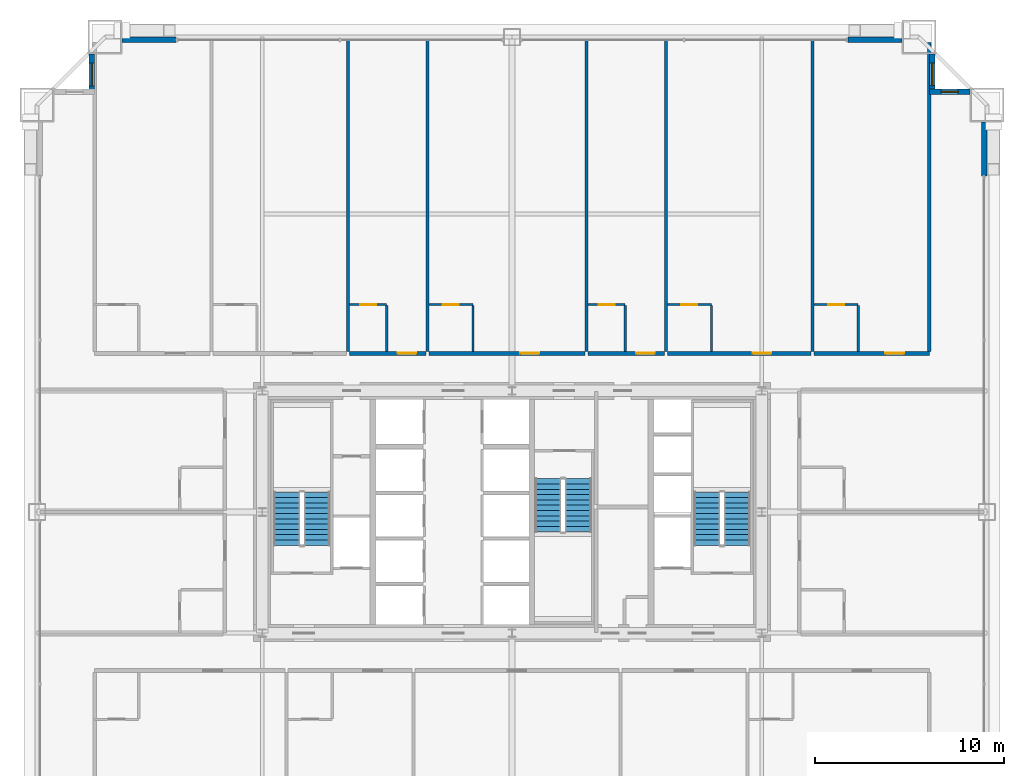
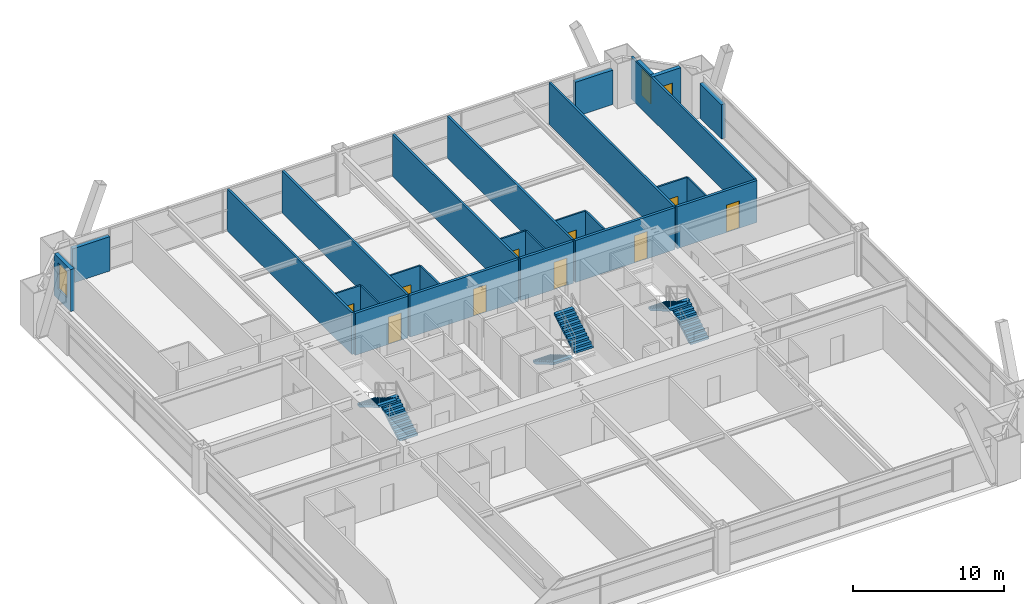
# One storey, part 42 of 43: 27 walls, 10 doors, 6 stair flights, 3 windows, 13 openings, 3 elements without a shape of their own.
"""IFC4 building model written with IfcOpenShell, lengths in metres."""

from ifc_helpers import new_model, si_unit, direction, frame, frame_2d, origin, place, context, subcontext, project, spatial, polyline, rectangle, outline, extrude, source, transform, mapped, material, layer, layer_set, type_object, element, fill, aggregate, save


model = new_model("IFC4")

# Units and contexts
model_context = context("Model", 3, precision=1e-05, world=origin(), true_north=direction((0.0, 1.0)))
body_context = subcontext(model_context, "Body", "Model", "MODEL_VIEW")
ifc_project = project(units=[si_unit("LENGTHUNIT", "METRE"), si_unit("AREAUNIT", "SQUARE_METRE"), si_unit("VOLUMEUNIT", "CUBIC_METRE"), si_unit("PLANEANGLEUNIT", "RADIAN"), si_unit("MASSUNIT", "GRAM", prefix="KILO"), si_unit("THERMODYNAMICTEMPERATUREUNIT", "KELVIN"), si_unit("POWERUNIT", "WATT")], contexts=[model_context])

# Site, building, storey
site_placement = place(None, origin())
site = spatial("IfcSite", under=ifc_project, at=site_placement, CompositionType="ELEMENT")
building_placement = place(site_placement, origin())
building = spatial("IfcBuilding", under=site, at=building_placement, Name="Yuzanri Waterfront Tower", CompositionType="ELEMENT")
storey_placement = place(building_placement, frame((0.0, 0.0, 53.199951171875)))
storey = spatial("IfcBuildingStorey", under=building, at=storey_placement, Name="L13", CompositionType="ELEMENT", Elevation=53.199951171875)

# Wall, opening, door
ifc_material_1 = material(Name="Moisture-Resistant Gypsum Stud Wall", Category="gypsum")
ifc_layer_1 = layer(ifc_material_1, 0.1201171875)
ifc_layer_set_1 = layer_set([ifc_layer_1], Name="Moisture-Resistant Gypsum Stud Wall")
wall_type_1 = type_object("IfcWallType", Name="Bathroom and Kitchen Wet Partition 120", PredefinedType="PARTITIONING", material=ifc_layer_set_1)
wall_1_placement = place(storey_placement, frame((28.419921875, 36.760009765625, 0.0), z_axis=(0.0, 0.0, 1.0), x_axis=(1.0, 0.0, 0.0)))
wall_1 = element("IfcWall", 1, at=wall_1_placement, inside=storey, type_object=wall_type_1, Name="L13 Partition UW-L13-N3-BN", PredefinedType="PARTITIONING", context=body_context, shape_type="SweptSolid", body=[
    extrude(rectangle(XDim=1.955078125, YDim=0.1201171875, at=frame_2d((0.9775390625, 0.0))), origin(), (0.0, 0.0, 1.0), 3.380126953125),
])
opening_1_placement = place(wall_1_placement, frame((0.552490234375, 0.0, 0.0)))
opening_1 = element("IfcOpeningElement", 2, at=opening_1_placement, cuts=wall_1, Name="Opening ID-0850", PredefinedType="OPENING", context=body_context, shape_type="SweptSolid", body=[
    extrude(rectangle(XDim=0.85009765625, YDim=2.10009765625, at=frame_2d((0.425048828125, 1.050048828125))), frame((0.0, 0.074951171875, 0.0), z_axis=(0.0, -1.0, 0.0), x_axis=(1.0, 0.0, 0.0)), (0.0, 0.0, 1.0), 0.14990234375),
])
ifc_material_2 = material(Name="Moisture-Resistant Lacquered Timber", Category="wood")
door_type_1 = type_object("IfcDoorType", Name="En-Suite Bathroom and Kitchen Swing Door 850x2100", OperationType="NOTDEFINED", PredefinedType="DOOR", material=ifc_material_2)
shared_shape_1 = source(origin(), body_context, "Body", "SweptSolid", [
    extrude(rectangle(XDim=0.85009765625, YDim=2.10009765625, at=frame_2d((0.425048828125, 1.050048828125))), frame((0.0, 0.02490234375, 0.0), z_axis=(0.0, -1.0, 0.0), x_axis=(1.0, 0.0, 0.0)), (0.0, 0.0, 1.0), 0.050048828125),
])
door_1_placement = place(opening_1_placement, origin())
door_1 = element("IfcDoor", 3, at=door_1_placement, inside=storey, type_object=door_type_1, Name="L13 Guest En-Suite Door", OperationType="SINGLE_SWING_LEFT", OverallHeight=2.10009765625, OverallWidth=0.85009765625, PredefinedType="DOOR", context=body_context, shape_type="MappedRepresentation", body=[
    mapped(shared_shape_1, transform((0.0, 0.0, 0.0), scale=1.0)),
])
fill(opening_1, door_1)

wall_2_placement = place(storey_placement, frame((32.60498046875, 36.760009765625, 0.0), z_axis=(0.0, 0.0, 1.0), x_axis=(1.0, 0.0, 0.0)))
wall_2 = element("IfcWall", 4, at=wall_2_placement, inside=storey, type_object=wall_type_1, Name="L13 Partition UW-L13-N4-BN", PredefinedType="PARTITIONING", context=body_context, shape_type="SweptSolid", body=[
    extrude(rectangle(XDim=2.330078125, YDim=0.1201171875, at=frame_2d((1.1650390625, 0.0))), origin(), (0.0, 0.0, 1.0), 3.380126953125),
])
opening_2_placement = place(wall_2_placement, frame((0.739990234375, 0.0, 0.0)))
opening_2 = element("IfcOpeningElement", 5, at=opening_2_placement, cuts=wall_2, Name="Opening ID-0850", PredefinedType="OPENING", context=body_context, shape_type="SweptSolid", body=[
    extrude(rectangle(XDim=0.85009765625, YDim=2.10009765625, at=frame_2d((0.425048828125, 1.050048828125))), frame((0.0, 0.074951171875, 0.0), z_axis=(0.0, -1.0, 0.0), x_axis=(1.0, 0.0, 0.0)), (0.0, 0.0, 1.0), 0.14990234375),
])
door_2_placement = place(opening_2_placement, origin())
door_2 = element("IfcDoor", 6, at=door_2_placement, inside=storey, type_object=door_type_1, Name="L13 Guest En-Suite Door", OperationType="SINGLE_SWING_LEFT", OverallHeight=2.10009765625, OverallWidth=0.85009765625, PredefinedType="DOOR", context=body_context, shape_type="MappedRepresentation", body=[
    mapped(shared_shape_1, transform((0.0, 0.0, 0.0), scale=1.0)),
])
fill(opening_2, door_2)

wall_3_placement = place(storey_placement, frame((41.02587890625, 36.760009765625, 0.0), z_axis=(0.0, 0.0, 1.0), x_axis=(1.0, 0.0, 0.0)))
wall_3 = element("IfcWall", 7, at=wall_3_placement, inside=storey, type_object=wall_type_1, Name="L13 Partition UW-L13-N5-BN", PredefinedType="PARTITIONING", context=body_context, shape_type="SweptSolid", body=[
    extrude(rectangle(XDim=1.955078125, YDim=0.1201171875, at=frame_2d((0.9775390625, 0.0))), origin(), (0.0, 0.0, 1.0), 3.380126953125),
])
opening_3_placement = place(wall_3_placement, frame((0.552490234375, 0.0, 0.0)))
opening_3 = element("IfcOpeningElement", 8, at=opening_3_placement, cuts=wall_3, Name="Opening ID-0850", PredefinedType="OPENING", context=body_context, shape_type="SweptSolid", body=[
    extrude(rectangle(XDim=0.85009765625, YDim=2.10009765625, at=frame_2d((0.425048828125, 1.050048828125))), frame((0.0, 0.074951171875, 0.0), z_axis=(0.0, -1.0, 0.0), x_axis=(1.0, 0.0, 0.0)), (0.0, 0.0, 1.0), 0.14990234375),
])
door_3_placement = place(opening_3_placement, origin())
door_3 = element("IfcDoor", 9, at=door_3_placement, inside=storey, type_object=door_type_1, Name="L13 Guest En-Suite Door", OperationType="SINGLE_SWING_LEFT", OverallHeight=2.10009765625, OverallWidth=0.85009765625, PredefinedType="DOOR", context=body_context, shape_type="MappedRepresentation", body=[
    mapped(shared_shape_1, transform((0.0, 0.0, 0.0), scale=1.0)),
])
fill(opening_3, door_3)

wall_4_placement = place(storey_placement, frame((45.2109375, 36.760009765625, 0.0), z_axis=(0.0, 0.0, 1.0), x_axis=(1.0, 0.0, 0.0)))
wall_4 = element("IfcWall", 10, at=wall_4_placement, inside=storey, type_object=wall_type_1, Name="L13 Partition UW-L13-N6-BN", PredefinedType="PARTITIONING", context=body_context, shape_type="SweptSolid", body=[
    extrude(rectangle(XDim=2.330078125, YDim=0.1201171875, at=frame_2d((1.1650390625, 0.0))), origin(), (0.0, 0.0, 1.0), 3.380126953125),
])
opening_4_placement = place(wall_4_placement, frame((0.739990234375, 0.0, 0.0)))
opening_4 = element("IfcOpeningElement", 11, at=opening_4_placement, cuts=wall_4, Name="Opening ID-0850", PredefinedType="OPENING", context=body_context, shape_type="SweptSolid", body=[
    extrude(rectangle(XDim=0.85009765625, YDim=2.10009765625, at=frame_2d((0.425048828125, 1.050048828125))), frame((0.0, 0.074951171875, 0.0), z_axis=(0.0, -1.0, 0.0), x_axis=(1.0, 0.0, 0.0)), (0.0, 0.0, 1.0), 0.14990234375),
])
door_4_placement = place(opening_4_placement, origin())
door_4 = element("IfcDoor", 12, at=door_4_placement, inside=storey, type_object=door_type_1, Name="L13 Guest En-Suite Door", OperationType="SINGLE_SWING_LEFT", OverallHeight=2.10009765625, OverallWidth=0.85009765625, PredefinedType="DOOR", context=body_context, shape_type="MappedRepresentation", body=[
    mapped(shared_shape_1, transform((0.0, 0.0, 0.0), scale=1.0)),
])
fill(opening_4, door_4)

wall_5_placement = place(storey_placement, frame((52.962890625, 36.760009765625, 0.0), z_axis=(0.0, 0.0, 1.0), x_axis=(1.0, 0.0, 0.0)))
wall_5 = element("IfcWall", 13, at=wall_5_placement, inside=storey, type_object=wall_type_1, Name="L13 Partition UW-L13-N7-BN", PredefinedType="PARTITIONING", context=body_context, shape_type="SweptSolid", body=[
    extrude(rectangle(XDim=2.330078125, YDim=0.1201171875, at=frame_2d((1.1650390625, 0.0))), origin(), (0.0, 0.0, 1.0), 3.380126953125),
])
opening_5_placement = place(wall_5_placement, frame((0.739990234375, 0.0, 0.0)))
opening_5 = element("IfcOpeningElement", 14, at=opening_5_placement, cuts=wall_5, Name="Opening ID-0850", PredefinedType="OPENING", context=body_context, shape_type="SweptSolid", body=[
    extrude(rectangle(XDim=0.85009765625, YDim=2.10009765625, at=frame_2d((0.425048828125, 1.050048828125))), frame((0.0, 0.074951171875, 0.0), z_axis=(0.0, -1.0, 0.0), x_axis=(1.0, 0.0, 0.0)), (0.0, 0.0, 1.0), 0.14990234375),
])
door_5_placement = place(opening_5_placement, origin())
door_5 = element("IfcDoor", 15, at=door_5_placement, inside=storey, type_object=door_type_1, Name="L13 Guest En-Suite Door", OperationType="SINGLE_SWING_LEFT", OverallHeight=2.10009765625, OverallWidth=0.85009765625, PredefinedType="DOOR", context=body_context, shape_type="MappedRepresentation", body=[
    mapped(shared_shape_1, transform((0.0, 0.0, 0.0), scale=1.0)),
])
fill(opening_5, door_5)

# Wall, opening, window
ifc_material_3 = material(Name="Honed Chongqing Dark Basalt Stone", Category="masonry")
ifc_layer_2 = layer(ifc_material_3, 0.300048828125)
ifc_layer_set_2 = layer_set([ifc_layer_2], Name="Honed Chongqing Dark Basalt Stone")
wall_type_2 = type_object("IfcWallType", Name="Bronze Rainscreen Insulated Spandrel Portal Wall 300", PredefinedType="SOLIDWALL", material=ifc_layer_set_2)
wall_6_placement = place(storey_placement, frame((14.800048828125, 50.0, 0.0), z_axis=(0.0, 0.0, 1.0), x_axis=(0.0, -1.0, 0.0)))
wall_6 = element("IfcWall", 16, at=wall_6_placement, inside=storey, type_object=wall_type_2, Name="L13 Notched Corner Masonry Wall NW-Y", PredefinedType="SOLIDWALL", context=body_context, shape_type="SweptSolid", body=[
    extrude(rectangle(XDim=2.14990234375, YDim=0.300048828125, at=frame_2d((1.074951171875, 0.0))), origin(), (0.0, 0.0, 1.0), 3.380126953125),
])
opening_6_placement = place(wall_6_placement, frame((0.47509765625, 0.0, 0.85009765625)))
opening_6 = element("IfcOpeningElement", 17, at=opening_6_placement, cuts=wall_6, Name="Opening WN-02", PredefinedType="OPENING", context=body_context, shape_type="SweptSolid", body=[
    extrude(rectangle(XDim=1.199951171875, YDim=2.10009765625, at=frame_2d((0.60009765625, 1.050048828125))), frame((0.0, 0.1650390625, 0.0), z_axis=(0.0, -1.0, 0.0), x_axis=(1.0, 0.0, 0.0)), (0.0, 0.0, 1.0), 0.329833984375),
])
ifc_material_4 = material(Name="Double-Silver Low-E Insulated Glass", Category="glass")
window_type_1 = type_object("IfcWindowType", Name="Anodized Bronze Notched Corner Deep-Set Slot Window 1200x2100", PartitioningType="SINGLE_PANEL", PredefinedType="WINDOW", material=ifc_material_4)
shared_shape_2 = source(origin(), body_context, "Body", "SweptSolid", [
    extrude(rectangle(XDim=1.199951171875, YDim=2.10009765625, at=frame_2d((0.60009765625, 1.050048828125))), frame((0.0, 0.030029296875, 0.0), z_axis=(0.0, -1.0, 0.0), x_axis=(1.0, 0.0, 0.0)), (0.0, 0.0, 1.0), 0.06005859375),
])
window_1_placement = place(opening_6_placement, origin())
window_1 = element("IfcWindow", 18, at=window_1_placement, inside=storey, type_object=window_type_1, Name="L13 Notched Corner Window NW-Y", OverallHeight=2.10009765625, OverallWidth=1.199951171875, PartitioningType="SINGLE_PANEL", PredefinedType="WINDOW", context=body_context, shape_type="MappedRepresentation", body=[
    mapped(shared_shape_2, transform((0.0, 0.0, 0.0), scale=1.0)),
])
fill(opening_6, window_1)

wall_7_placement = place(storey_placement, frame((61.199951171875, 48.0, 0.0), z_axis=(0.0, 0.0, 1.0), x_axis=(-1.0, 0.0, 0.0)))
wall_7 = element("IfcWall", 19, at=wall_7_placement, inside=storey, type_object=wall_type_2, Name="L13 Notched Corner Masonry Wall NE-X", PredefinedType="SOLIDWALL", context=body_context, shape_type="SweptSolid", body=[
    extrude(rectangle(XDim=2.14990234375, YDim=0.300048828125, at=frame_2d((1.074951171875, 0.0))), origin(), (0.0, 0.0, 1.0), 3.380126953125),
])
opening_7_placement = place(wall_7_placement, frame((0.625, 0.0, 0.85009765625)))
opening_7 = element("IfcOpeningElement", 20, at=opening_7_placement, cuts=wall_7, Name="Opening WN-05", PredefinedType="OPENING", context=body_context, shape_type="SweptSolid", body=[
    extrude(rectangle(XDim=0.89990234375, YDim=1.5, at=frame_2d((0.449951171875, 0.75))), frame((0.0, 0.1650390625, 0.0), z_axis=(0.0, -1.0, 0.0), x_axis=(1.0, 0.0, 0.0)), (0.0, 0.0, 1.0), 0.329833984375),
])
ifc_material_5 = material(Name="Double-Silver Low-E Insulated Glass", Category="glass")
window_type_2 = type_object("IfcWindowType", Name="Anodized Bronze Service and Stairwell Smoke-Vent Window 900x1500", PartitioningType="SINGLE_PANEL", PredefinedType="WINDOW", material=ifc_material_5)
shared_shape_3 = source(origin(), body_context, "Body", "SweptSolid", [
    extrude(rectangle(XDim=0.89990234375, YDim=1.5, at=frame_2d((0.449951171875, 0.75))), frame((0.0, 0.030029296875, 0.0), z_axis=(0.0, -1.0, 0.0), x_axis=(1.0, 0.0, 0.0)), (0.0, 0.0, 1.0), 0.06005859375),
])
window_2_placement = place(opening_7_placement, origin())
window_2 = element("IfcWindow", 21, at=window_2_placement, inside=storey, type_object=window_type_2, Name="L13 Notched Corner Window NE-X", OverallHeight=1.5, OverallWidth=0.89990234375, PartitioningType="SINGLE_PANEL", PredefinedType="WINDOW", context=body_context, shape_type="MappedRepresentation", body=[
    mapped(shared_shape_3, transform((0.0, 0.0, 0.0), scale=1.0)),
])
fill(opening_7, window_2)

wall_8_placement = place(storey_placement, frame((59.199951171875, 47.85009765625, 0.0), z_axis=(0.0, 0.0, 1.0), x_axis=(0.0, 1.0, 0.0)))
wall_8 = element("IfcWall", 22, at=wall_8_placement, inside=storey, type_object=wall_type_2, Name="L13 Notched Corner Masonry Wall NE-Y", PredefinedType="SOLIDWALL", context=body_context, shape_type="SweptSolid", body=[
    extrude(rectangle(XDim=2.14990234375, YDim=0.300048828125, at=frame_2d((1.074951171875, 0.0))), origin(), (0.0, 0.0, 1.0), 3.380126953125),
])
opening_8_placement = place(wall_8_placement, frame((0.47509765625, 0.0, 0.85009765625)))
opening_8 = element("IfcOpeningElement", 23, at=opening_8_placement, cuts=wall_8, Name="Opening WN-02", PredefinedType="OPENING", context=body_context, shape_type="SweptSolid", body=[
    extrude(rectangle(XDim=1.199951171875, YDim=2.10009765625, at=frame_2d((0.60009765625, 1.050048828125))), frame((0.0, 0.1650390625, 0.0), z_axis=(0.0, -1.0, 0.0), x_axis=(1.0, 0.0, 0.0)), (0.0, 0.0, 1.0), 0.329833984375),
])
window_3_placement = place(opening_8_placement, origin())
window_3 = element("IfcWindow", 24, at=window_3_placement, inside=storey, type_object=window_type_1, Name="L13 Notched Corner Window NE-Y", OverallHeight=2.10009765625, OverallWidth=1.199951171875, PartitioningType="SINGLE_PANEL", PredefinedType="WINDOW", context=body_context, shape_type="MappedRepresentation", body=[
    mapped(shared_shape_2, transform((0.0, 0.0, 0.0), scale=1.0)),
])
fill(opening_8, window_3)

# Wall, opening, door
ifc_material_6 = material(Name="Autoclaved Aerated Concrete Blockwork", Category="masonry")
ifc_layer_3 = layer(ifc_material_6, 0.199951171875)
ifc_layer_set_3 = layer_set([ifc_layer_3], Name="Autoclaved Aerated Concrete Blockwork")
wall_type_3 = type_object("IfcWallType", Name="Corridor and Unit Party Fire Wall 200", PredefinedType="PARTITIONING", material=ifc_layer_set_3)
wall_9_placement = place(storey_placement, frame((28.419921875, 34.179931640625, 0.0), z_axis=(0.0, 0.0, 1.0), x_axis=(1.0, 0.0, 0.0)))
wall_9 = element("IfcWall", 25, at=wall_9_placement, inside=storey, type_object=wall_type_3, Name="L13 Partition UW-L13-N3-CS", PredefinedType="PARTITIONING", context=body_context, shape_type="SweptSolid", body=[
    extrude(rectangle(XDim=4.025146484375, YDim=0.199951171875, at=frame_2d((2.0126953125, 0.0))), origin(), (0.0, 0.0, 1.0), 3.380126953125),
])
opening_9_placement = place(wall_9_placement, frame((2.530029296875, 0.0, 0.0)))
opening_9 = element("IfcOpeningElement", 26, at=opening_9_placement, cuts=wall_9, Name="Opening FD-1000", PredefinedType="OPENING", context=body_context, shape_type="SweptSolid", body=[
    extrude(rectangle(XDim=1.0, YDim=2.199951171875, at=frame_2d((0.5, 1.10009765625))), frame((0.0, 0.11474609375, 0.0), z_axis=(0.0, -1.0, 0.0), x_axis=(1.0, 0.0, 0.0)), (0.0, 0.0, 1.0), 0.229736328125),
])
ifc_material_7 = material(Name="Engineered Oak Fire-Rated Timber", Category="wood")
door_type_2 = type_object("IfcDoorType", Name="Guestroom and Apartment Entrance Fire Door 1000x2200", OperationType="NOTDEFINED", PredefinedType="DOOR", material=ifc_material_7)
shared_shape_4 = source(origin(), body_context, "Body", "SweptSolid", [
    extrude(rectangle(XDim=1.0, YDim=2.199951171875, at=frame_2d((0.5, 1.10009765625))), frame((0.0, 0.02490234375, 0.0), z_axis=(0.0, -1.0, 0.0), x_axis=(1.0, 0.0, 0.0)), (0.0, 0.0, 1.0), 0.050048828125),
])
door_6_placement = place(opening_9_placement, origin())
door_6 = element("IfcDoor", 27, at=door_6_placement, inside=storey, type_object=door_type_2, Name="L13 Superior Twin Guest Room Entrance Door", OperationType="SINGLE_SWING_RIGHT", OverallHeight=2.199951171875, OverallWidth=1.0, PredefinedType="DOOR", context=body_context, shape_type="MappedRepresentation", body=[
    mapped(shared_shape_4, transform((0.0, 0.0, 0.0), scale=1.0)),
])
fill(opening_9, door_6)

wall_10_placement = place(storey_placement, frame((32.60498046875, 34.179931640625, 0.0), z_axis=(0.0, 0.0, 1.0), x_axis=(1.0, 0.0, 0.0)))
wall_10 = element("IfcWall", 28, at=wall_10_placement, inside=storey, type_object=wall_type_3, Name="L13 Partition UW-L13-N4-CS", PredefinedType="PARTITIONING", context=body_context, shape_type="SweptSolid", body=[
    extrude(rectangle(XDim=8.260986328125, YDim=0.199951171875, at=frame_2d((4.13037109375, 0.0))), origin(), (0.0, 0.0, 1.0), 3.380126953125),
])
opening_10_placement = place(wall_10_placement, frame((4.8359375, 0.0, 0.0)))
opening_10 = element("IfcOpeningElement", 29, at=opening_10_placement, cuts=wall_10, Name="Opening FD-1000", PredefinedType="OPENING", context=body_context, shape_type="SweptSolid", body=[
    extrude(rectangle(XDim=1.0, YDim=2.199951171875, at=frame_2d((0.5, 1.10009765625))), frame((0.0, 0.11474609375, 0.0), z_axis=(0.0, -1.0, 0.0), x_axis=(1.0, 0.0, 0.0)), (0.0, 0.0, 1.0), 0.229736328125),
])
door_7_placement = place(opening_10_placement, origin())
door_7 = element("IfcDoor", 30, at=door_7_placement, inside=storey, type_object=door_type_2, Name="L13 Superior Twin Junior Suite Entrance Door", OperationType="SINGLE_SWING_RIGHT", OverallHeight=2.199951171875, OverallWidth=1.0, PredefinedType="DOOR", context=body_context, shape_type="MappedRepresentation", body=[
    mapped(shared_shape_4, transform((0.0, 0.0, 0.0), scale=1.0)),
])
fill(opening_10, door_7)

wall_11_placement = place(storey_placement, frame((41.02587890625, 34.179931640625, 0.0), z_axis=(0.0, 0.0, 1.0), x_axis=(1.0, 0.0, 0.0)))
wall_11 = element("IfcWall", 31, at=wall_11_placement, inside=storey, type_object=wall_type_3, Name="L13 Partition UW-L13-N5-CS", PredefinedType="PARTITIONING", context=body_context, shape_type="SweptSolid", body=[
    extrude(rectangle(XDim=4.025146484375, YDim=0.199951171875, at=frame_2d((2.0126953125, 0.0))), origin(), (0.0, 0.0, 1.0), 3.380126953125),
])
opening_11_placement = place(wall_11_placement, frame((2.530029296875, 0.0, 0.0)))
opening_11 = element("IfcOpeningElement", 32, at=opening_11_placement, cuts=wall_11, Name="Opening FD-1000", PredefinedType="OPENING", context=body_context, shape_type="SweptSolid", body=[
    extrude(rectangle(XDim=1.0, YDim=2.199951171875, at=frame_2d((0.5, 1.10009765625))), frame((0.0, 0.11474609375, 0.0), z_axis=(0.0, -1.0, 0.0), x_axis=(1.0, 0.0, 0.0)), (0.0, 0.0, 1.0), 0.229736328125),
])
door_8_placement = place(opening_11_placement, origin())
door_8 = element("IfcDoor", 33, at=door_8_placement, inside=storey, type_object=door_type_2, Name="L13 Superior Twin Guest Room Entrance Door", OperationType="SINGLE_SWING_RIGHT", OverallHeight=2.199951171875, OverallWidth=1.0, PredefinedType="DOOR", context=body_context, shape_type="MappedRepresentation", body=[
    mapped(shared_shape_4, transform((0.0, 0.0, 0.0), scale=1.0)),
])
fill(opening_11, door_8)

wall_12_placement = place(storey_placement, frame((45.2109375, 34.179931640625, 0.0), z_axis=(0.0, 0.0, 1.0), x_axis=(1.0, 0.0, 0.0)))
wall_12 = element("IfcWall", 34, at=wall_12_placement, inside=storey, type_object=wall_type_3, Name="L13 Partition UW-L13-N6-CS", PredefinedType="PARTITIONING", context=body_context, shape_type="SweptSolid", body=[
    extrude(rectangle(XDim=7.592041015625, YDim=0.199951171875, at=frame_2d((3.7958984375, 0.0))), origin(), (0.0, 0.0, 1.0), 3.380126953125),
])
opening_12_placement = place(wall_12_placement, frame((4.5009765625, 0.0, 0.0)))
opening_12 = element("IfcOpeningElement", 35, at=opening_12_placement, cuts=wall_12, Name="Opening FD-1000", PredefinedType="OPENING", context=body_context, shape_type="SweptSolid", body=[
    extrude(rectangle(XDim=1.0, YDim=2.199951171875, at=frame_2d((0.5, 1.10009765625))), frame((0.0, 0.11474609375, 0.0), z_axis=(0.0, -1.0, 0.0), x_axis=(1.0, 0.0, 0.0)), (0.0, 0.0, 1.0), 0.229736328125),
])
door_9_placement = place(opening_12_placement, origin())
door_9 = element("IfcDoor", 36, at=door_9_placement, inside=storey, type_object=door_type_2, Name="L13 Superior Twin Junior Suite Entrance Door", OperationType="SINGLE_SWING_RIGHT", OverallHeight=2.199951171875, OverallWidth=1.0, PredefinedType="DOOR", context=body_context, shape_type="MappedRepresentation", body=[
    mapped(shared_shape_4, transform((0.0, 0.0, 0.0), scale=1.0)),
])
fill(opening_12, door_9)

wall_13_placement = place(storey_placement, frame((52.962890625, 34.179931640625, 0.0), z_axis=(0.0, 0.0, 1.0), x_axis=(1.0, 0.0, 0.0)))
wall_13 = element("IfcWall", 37, at=wall_13_placement, inside=storey, type_object=wall_type_3, Name="L13 Partition UW-L13-N7-CS", PredefinedType="PARTITIONING", context=body_context, shape_type="SweptSolid", body=[
    extrude(rectangle(XDim=6.09716796875, YDim=0.199951171875, at=frame_2d((3.048583984375, 0.0))), origin(), (0.0, 0.0, 1.0), 3.380126953125),
])
opening_13_placement = place(wall_13_placement, frame((3.7529296875, 0.0, 0.0)))
opening_13 = element("IfcOpeningElement", 38, at=opening_13_placement, cuts=wall_13, Name="Opening FD-1000", PredefinedType="OPENING", context=body_context, shape_type="SweptSolid", body=[
    extrude(rectangle(XDim=1.0, YDim=2.199951171875, at=frame_2d((0.5, 1.10009765625))), frame((0.0, 0.11474609375, 0.0), z_axis=(0.0, -1.0, 0.0), x_axis=(1.0, 0.0, 0.0)), (0.0, 0.0, 1.0), 0.229736328125),
])
door_10_placement = place(opening_13_placement, origin())
door_10 = element("IfcDoor", 39, at=door_10_placement, inside=storey, type_object=door_type_2, Name="L13 Superior Twin Junior Suite Entrance Door", OperationType="SINGLE_SWING_RIGHT", OverallHeight=2.199951171875, OverallWidth=1.0, PredefinedType="DOOR", context=body_context, shape_type="MappedRepresentation", body=[
    mapped(shared_shape_4, transform((0.0, 0.0, 0.0), scale=1.0)),
])
fill(opening_13, door_10)

# Walls
shared_shape_5 = source(origin(), body_context, "Body", "SweptSolid", [
    extrude(rectangle(XDim=2.85009765625, YDim=0.300048828125, at=frame_2d((1.425048828125, 0.0))), origin(), (0.0, 0.0, 1.0), 2.775146484375),
])
for number, where, z_axis, x_axis, name in (
    (40, (16.39990234375, 50.75, 0.0), (0.0, 0.0, 1.0), (1.0, 0.0, 0.0), "L13 N Left Braced Masonry Shoulder"),
    (41, (54.75, 50.75, 0.0), (0.0, 0.0, 1.0), (1.0, 0.0, 0.0), "L13 N Right Braced Masonry Shoulder"),
):
    element("IfcWall", number, at=place(storey_placement, frame(where, z_axis=z_axis, x_axis=x_axis)), inside=storey, type_object=wall_type_2, Name=name, PredefinedType="SOLIDWALL", context=body_context, shape_type="MappedRepresentation", body=[
        mapped(shared_shape_5, transform((0.0, 0.0, 0.0), scale=1.0)),
    ])
shared_shape_6 = source(origin(), body_context, "Body", "SweptSolid", [
    extrude(rectangle(XDim=2.849853515625, YDim=0.300048828125, at=frame_2d((1.4248046875, 0.0))), origin(), (0.0, 0.0, 1.0), 2.775146484375),
])
wall_14_placement = place(storey_placement, frame((61.949951171875, 43.550048828125, 0.0), z_axis=(0.0, 0.0, 1.0), x_axis=(0.0, 1.0, 0.0)))
element("IfcWall", 42, at=wall_14_placement, inside=storey, type_object=wall_type_2, Name="L13 E Right Braced Masonry Shoulder", PredefinedType="SOLIDWALL", context=body_context, shape_type="MappedRepresentation", body=[
    mapped(shared_shape_6, transform((0.0, 0.0, 0.0), scale=1.0)),
])
ifc_material_8 = material(Name="Gypsum Fireboard Acoustic Stud Wall", Category="gypsum")
ifc_layer_4 = layer(ifc_material_8, 0.159912109375)
ifc_layer_set_4 = layer_set([ifc_layer_4], Name="Gypsum Fireboard Acoustic Stud Wall")
wall_type_4 = type_object("IfcWallType", Name="Acoustic Suite Demising Partition 160", PredefinedType="PARTITIONING", material=ifc_layer_set_4)
shared_shape_7 = source(origin(), body_context, "Body", "SweptSolid", [
    extrude(rectangle(XDim=16.469970703125, YDim=0.159912109375, at=frame_2d((8.23486328125, 0.0))), origin(), (0.0, 0.0, 1.0), 3.380126953125),
])
for number, where, z_axis, x_axis, name in (
    (43, (28.340087890625, 34.280029296875, 0.0), (0.0, 0.0, 1.0), (0.0, 1.0, 0.0), "L13-N2 Party Wall"),
    (44, (32.52490234375, 34.280029296875, 0.0), (0.0, 0.0, 1.0), (0.0, 1.0, 0.0), "L13-N3 Party Wall"),
    (45, (40.946044921875, 34.280029296875, 0.0), (0.0, 0.0, 1.0), (0.0, 1.0, 0.0), "L13-N4 Party Wall"),
    (46, (45.131103515625, 34.280029296875, 0.0), (0.0, 0.0, 1.0), (0.0, 1.0, 0.0), "L13-N5 Party Wall"),
    (47, (52.883056640625, 34.280029296875, 0.0), (0.0, 0.0, 1.0), (0.0, 1.0, 0.0), "L13-N6 Party Wall"),
):
    element("IfcWall", number, at=place(storey_placement, frame(where, z_axis=z_axis, x_axis=x_axis)), inside=storey, type_object=wall_type_4, Name=name, PredefinedType="PARTITIONING", context=body_context, shape_type="MappedRepresentation", body=[
        mapped(shared_shape_7, transform((0.0, 0.0, 0.0), scale=1.0)),
    ])
shared_shape_8 = source(origin(), body_context, "Body", "SweptSolid", [
    extrude(rectangle(XDim=16.320068359375, YDim=0.159912109375, at=frame_2d((8.16015625, 0.0))), origin(), (0.0, 0.0, 1.0), 3.380126953125),
])
wall_15_placement = place(storey_placement, frame((59.050048828125, 34.280029296875, 0.0), z_axis=(0.0, 0.0, 1.0), x_axis=(0.0, 1.0, 0.0)))
element("IfcWall", 48, at=wall_15_placement, inside=storey, type_object=wall_type_4, Name="L13 North Band East End Wall", PredefinedType="PARTITIONING", context=body_context, shape_type="MappedRepresentation", body=[
    mapped(shared_shape_8, transform((0.0, 0.0, 0.0), scale=1.0)),
])
shared_shape_9 = source(origin(), body_context, "Body", "SweptSolid", [
    extrude(rectangle(XDim=2.419921875, YDim=0.1201171875, at=frame_2d((1.2099609375, 0.0))), origin(), (0.0, 0.0, 1.0), 3.380126953125),
])
for number, where, z_axis, x_axis, name in (
    (49, (30.375, 34.280029296875, 0.0), (0.0, 0.0, 1.0), (0.0, 1.0, 0.0), "L13-N3 En-Suite Side Wall"),
    (50, (34.93505859375, 34.280029296875, 0.0), (0.0, 0.0, 1.0), (0.0, 1.0, 0.0), "L13-N4 En-Suite Side Wall"),
    (51, (42.98095703125, 34.280029296875, 0.0), (0.0, 0.0, 1.0), (0.0, 1.0, 0.0), "L13-N5 En-Suite Side Wall"),
    (52, (47.541015625, 34.280029296875, 0.0), (0.0, 0.0, 1.0), (0.0, 1.0, 0.0), "L13-N6 En-Suite Side Wall"),
    (53, (55.29296875, 34.280029296875, 0.0), (0.0, 0.0, 1.0), (0.0, 1.0, 0.0), "L13-N7 En-Suite Side Wall"),
):
    element("IfcWall", number, at=place(storey_placement, frame(where, z_axis=z_axis, x_axis=x_axis)), inside=storey, type_object=wall_type_1, Name=name, PredefinedType="PARTITIONING", context=body_context, shape_type="MappedRepresentation", body=[
        mapped(shared_shape_9, transform((0.0, 0.0, 0.0), scale=1.0)),
    ])

# Stair, stair flights
ifc_material_9 = material(Name="Concrete C40", Category="concrete")
stair_type = type_object("IfcStairType", Name="Concrete C40 Core Dogleg Exit Stair", PredefinedType="HALF_TURN_STAIR", material=ifc_material_9)
stair_1_placement = place(storey_placement, origin())
stair_1 = element("IfcStair", 54, at=stair_1_placement, inside=storey, type_object=stair_type, Name="L13 Smoke-Proof Core Stair ST-01", PredefinedType="HALF_TURN_STAIR")
ifc_material_10 = material(Name="Concrete C40", Category="concrete")
stair_flight_type = type_object("IfcStairFlightType", Name="Concrete C40 Precast Stair Flight 1380", PredefinedType="STRAIGHT", material=ifc_material_10)
shared_shape_10 = source(origin(), body_context, "Body", "SweptSolid", [
    extrude(outline(polyline([(0.0, 0.0), (0.0, 0.16357421875), (0.280029296875, 0.16357421875), (0.280029296875, 0.327392578125), (0.56005859375, 0.327392578125), (0.56005859375, 0.490966796875), (0.840087890625, 0.490966796875), (0.840087890625, 0.654541015625), (1.1201171875, 0.654541015625), (1.1201171875, 0.818115234375), (1.39990234375, 0.818115234375), (1.39990234375, 0.98193359375), (1.679931640625, 0.98193359375), (1.679931640625, 1.1455078125), (1.9599609375, 1.1455078125), (1.9599609375, 1.30908203125), (2.239990234375, 1.30908203125), (2.239990234375, 1.47265625), (2.52001953125, 1.47265625), (2.52001953125, 1.636474609375), (2.800048828125, 1.636474609375), (2.800048828125, 1.800048828125), (2.800048828125, 1.462646484375), (0.297119140625, 0.0), (0.0, 0.0)])), frame((0.0, 0.699951171875, 0.0), z_axis=(0.0, -1.0, 0.0), x_axis=(1.0, 0.0, 0.0)), (0.0, 0.0, 1.0), 1.39990234375),
])
stair_flight_1_placement = place(storey_placement, frame((26.699951171875, 24.0400390625, 0.0), z_axis=(0.0, 0.0, 1.0), x_axis=(0.0, 1.0, 0.0)))
stair_flight_1 = element("IfcStairFlight", 55, at=stair_flight_1_placement, type_object=stair_flight_type, Name="ST-01 flight 1", NumberOfRisers=11, NumberOfTreads=10, PredefinedType="STRAIGHT", RiserHeight=0.163636364, TreadLength=0.28, context=body_context, shape_type="MappedRepresentation", body=[
    mapped(shared_shape_10, transform((0.0, 0.0, 0.0), scale=1.0)),
])
stair_flight_2_placement = place(storey_placement, frame((25.10009765625, 26.840087890625, 1.800048828125), z_axis=(0.0, 0.0, 1.0), x_axis=(0.0, -1.0, 0.0)))
stair_flight_2 = element("IfcStairFlight", 56, at=stair_flight_2_placement, type_object=stair_flight_type, Name="ST-01 flight 2", NumberOfRisers=11, NumberOfTreads=10, PredefinedType="STRAIGHT", RiserHeight=0.163636364, TreadLength=0.28, context=body_context, shape_type="MappedRepresentation", body=[
    mapped(shared_shape_10, transform((0.0, 0.0, 0.0), scale=1.0)),
])
aggregate(stair_1, [stair_flight_1, stair_flight_2])

stair_2_placement = place(storey_placement, origin())
stair_2 = element("IfcStair", 57, at=stair_2_placement, inside=storey, type_object=stair_type, Name="L13 Smoke-Proof Core Stair ST-02", PredefinedType="HALF_TURN_STAIR")
stair_flight_3_placement = place(storey_placement, frame((48.89990234375, 24.0400390625, 0.0), z_axis=(0.0, 0.0, 1.0), x_axis=(0.0, 1.0, 0.0)))
stair_flight_3 = element("IfcStairFlight", 58, at=stair_flight_3_placement, type_object=stair_flight_type, Name="ST-02 flight 1", NumberOfRisers=11, NumberOfTreads=10, PredefinedType="STRAIGHT", RiserHeight=0.163636364, TreadLength=0.28, context=body_context, shape_type="MappedRepresentation", body=[
    mapped(shared_shape_10, transform((0.0, 0.0, 0.0), scale=1.0)),
])
stair_flight_4_placement = place(storey_placement, frame((47.300048828125, 26.840087890625, 1.800048828125), z_axis=(0.0, 0.0, 1.0), x_axis=(0.0, -1.0, 0.0)))
stair_flight_4 = element("IfcStairFlight", 59, at=stair_flight_4_placement, type_object=stair_flight_type, Name="ST-02 flight 2", NumberOfRisers=11, NumberOfTreads=10, PredefinedType="STRAIGHT", RiserHeight=0.163636364, TreadLength=0.28, context=body_context, shape_type="MappedRepresentation", body=[
    mapped(shared_shape_10, transform((0.0, 0.0, 0.0), scale=1.0)),
])
aggregate(stair_2, [stair_flight_3, stair_flight_4])

stair_3_placement = place(storey_placement, origin())
stair_3 = element("IfcStair", 60, at=stair_3_placement, inside=storey, type_object=stair_type, Name="L13 Smoke-Proof Core Stair ST-03", PredefinedType="HALF_TURN_STAIR")
stair_flight_5_placement = place(storey_placement, frame((38.89990234375, 27.56005859375, 0.0), z_axis=(0.0, 0.0, 1.0), x_axis=(0.0, -1.0, 0.0)))
stair_flight_5 = element("IfcStairFlight", 61, at=stair_flight_5_placement, type_object=stair_flight_type, Name="ST-03 flight 1", NumberOfRisers=11, NumberOfTreads=10, PredefinedType="STRAIGHT", RiserHeight=0.163636364, TreadLength=0.28, context=body_context, shape_type="MappedRepresentation", body=[
    mapped(shared_shape_10, transform((0.0, 0.0, 0.0), scale=1.0)),
])
stair_flight_6_placement = place(storey_placement, frame((40.5, 24.760009765625, 1.800048828125), z_axis=(0.0, 0.0, 1.0), x_axis=(0.0, 1.0, 0.0)))
stair_flight_6 = element("IfcStairFlight", 62, at=stair_flight_6_placement, type_object=stair_flight_type, Name="ST-03 flight 2", NumberOfRisers=11, NumberOfTreads=10, PredefinedType="STRAIGHT", RiserHeight=0.163636364, TreadLength=0.28, context=body_context, shape_type="MappedRepresentation", body=[
    mapped(shared_shape_10, transform((0.0, 0.0, 0.0), scale=1.0)),
])
aggregate(stair_3, [stair_flight_5, stair_flight_6])

save(model, "model.ifc")
